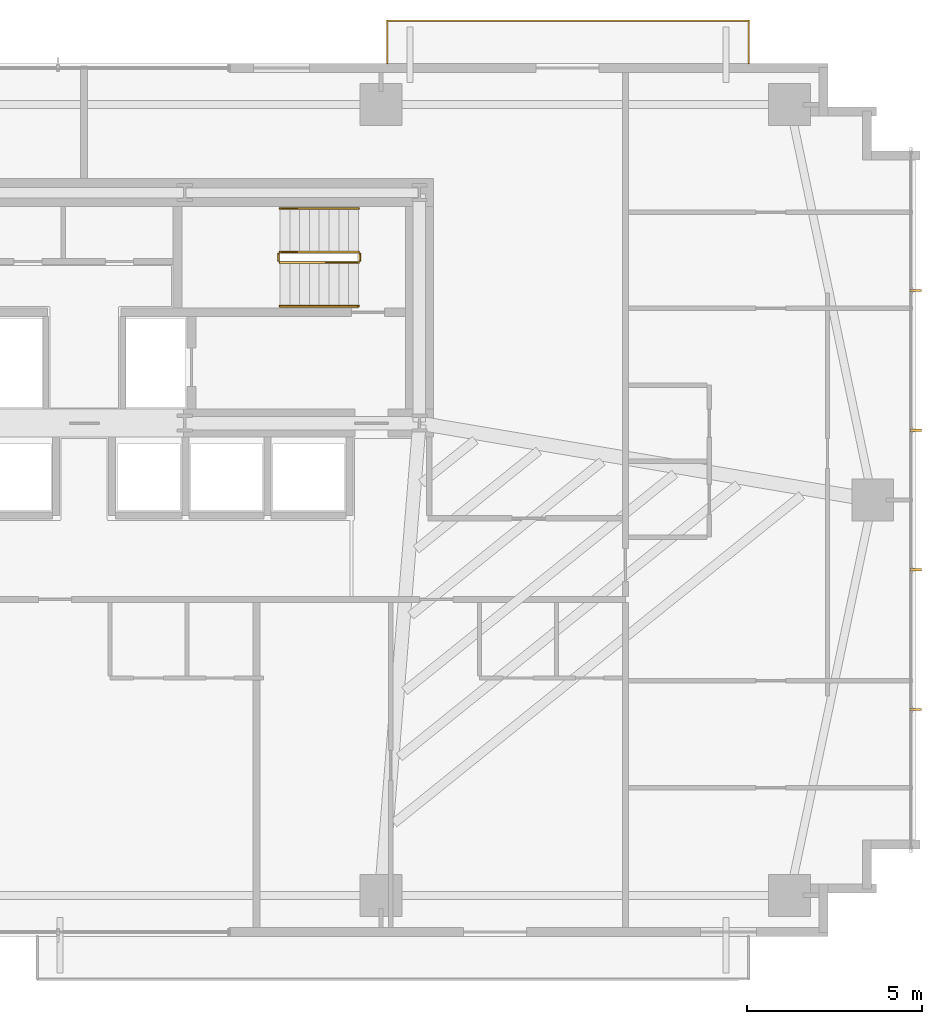
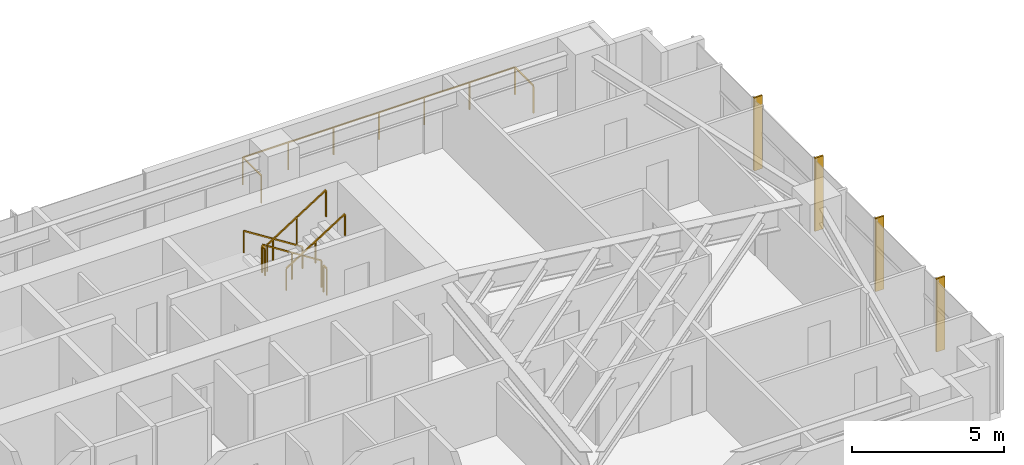
# One storey, part 25 of 25: 7 railings, 4 shading devices.
"""IFC4 building model written with IfcOpenShell, lengths in metres."""

from ifc_helpers import new_model, si_unit, direction, frame, origin, origin_2d, place, context, subcontext, project, spatial, rectangle, extrude, source, transform, mapped, material, type_object, type_shapes, element, save


model = new_model("IFC4")

# Units and contexts
model_context = context("Model", 3, precision=1e-05, world=origin(), true_north=direction((0.0, 1.0)))
body_context = subcontext(model_context, "Body", "Model", "MODEL_VIEW")
ifc_project = project(units=[si_unit("LENGTHUNIT", "METRE"), si_unit("AREAUNIT", "SQUARE_METRE"), si_unit("VOLUMEUNIT", "CUBIC_METRE"), si_unit("PLANEANGLEUNIT", "RADIAN"), si_unit("MASSUNIT", "GRAM", prefix="KILO")], contexts=[model_context])

# Site, building, storey
site_placement = place(None, origin())
site = spatial("IfcSite", under=ifc_project, at=site_placement, CompositionType="ELEMENT")
building_placement = place(site_placement, origin())
building = spatial("IfcBuilding", under=site, at=building_placement, Name="Astriad Promenade Condominiums", CompositionType="ELEMENT")
storey_placement = place(building_placement, frame((0.0, 0.0, 58.199951171875)))
storey = spatial("IfcBuildingStorey", under=building, at=storey_placement, Name="L16", CompositionType="ELEMENT", Elevation=58.199951171875)

# Shading devices
ifc_material_1 = material(Name="Anodised aluminium 6063-T6 Black Fin", Category="aluminium")
shading_device_type = type_object("IfcShadingDeviceType", Name="FIN-BLACK-320", PredefinedType="USERDEFINED", material=ifc_material_1)
shared_shape_1 = source(origin(), body_context, "Body", "SweptSolid", [
    extrude(rectangle(XDim=0.06494140625, YDim=0.320068359375, at=origin_2d()), origin(), (0.0, 0.0, 1.0), 2.93994140625),
])
type_shapes(shading_device_type, [shared_shape_1])
for number, where, z_axis, x_axis, name in (
    (1, (59.81005859375, 21.199951171875, 0.0), (0.0, 0.0, 1.0), (0.0, -1.0, 0.0), "CW-L16-E-FIN-01"),
    (2, (59.81005859375, 17.199951171875, 0.0), (0.0, 0.0, 1.0), (0.0, -1.0, 0.0), "CW-L16-E-FIN-02"),
    (3, (59.81005859375, 13.199951171875, 0.0), (0.0, 0.0, 1.0), (0.0, -1.0, 0.0), "CW-L16-E-FIN-03"),
    (4, (59.81005859375, 9.199951171875, 0.0), (0.0, 0.0, 1.0), (0.0, -1.0, 0.0), "CW-L16-E-FIN-04"),
):
    element("IfcShadingDevice", number, at=place(storey_placement, frame(where, z_axis=z_axis, x_axis=x_axis)), inside=storey, type_object=shading_device_type, Name=name, ObjectType="FIN", PredefinedType="USERDEFINED", context=body_context, shape_type="MappedRepresentation", body=[
        mapped(shared_shape_1, transform((0.0, 0.0, 0.0), scale=1.0)),
    ])

# Railings
ifc_material_2 = material(Name="Laminated Glass and Stainless Steel Balustrade", Category="steel")
railing_type_1 = type_object("IfcRailingType", Name="GRD-BALC-1120", PredefinedType="BALUSTRADE", material=ifc_material_2)
shared_shape_2 = source(origin(), body_context, "Body", "SweptSolid", [
    extrude(rectangle(XDim=0.048095703125, YDim=0.048095703125, at=origin_2d()), frame((0.0, 0.0, 1.09619140625), z_axis=(0.0, 1.0, 0.0), x_axis=(-1.0, 0.0, 0.0)), (0.0, 0.0, 1.0), 1.219970703125),
    extrude(rectangle(XDim=0.048095703125, YDim=0.048095703125, at=origin_2d()), frame((0.0, 1.219970703125, 1.09619140625), z_axis=(-1.0, 0.0, 0.0), x_axis=(0.0, -1.0, 0.0)), (0.0, 0.0, 1.0), 10.34716796875),
    extrude(rectangle(XDim=0.048095703125, YDim=0.048095703125, at=origin_2d()), frame((-10.34716796875, 1.219970703125, 1.09619140625), z_axis=(0.0, -1.0, 0.0), x_axis=(1.0, 0.0, 0.0)), (0.0, 0.0, 1.0), 1.219970703125),
    extrude(rectangle(XDim=0.0419921875, YDim=0.0419921875, at=origin_2d()), origin(), (0.0, 0.0, 1.0), 1.072021484375),
    extrude(rectangle(XDim=0.0419921875, YDim=0.0419921875, at=origin_2d()), frame((0.0, 1.219970703125, 0.0)), (0.0, 0.0, 1.0), 1.072021484375),
    extrude(rectangle(XDim=0.0419921875, YDim=0.0419921875, at=origin_2d()), frame((-1.724609375, 1.219970703125, 0.0)), (0.0, 0.0, 1.0), 1.072021484375),
    extrude(rectangle(XDim=0.0419921875, YDim=0.0419921875, at=origin_2d()), frame((-3.448974609375, 1.219970703125, 0.0)), (0.0, 0.0, 1.0), 1.072021484375),
    extrude(rectangle(XDim=0.0419921875, YDim=0.0419921875, at=origin_2d()), frame((-5.173583984375, 1.219970703125, 0.0)), (0.0, 0.0, 1.0), 1.072021484375),
    extrude(rectangle(XDim=0.0419921875, YDim=0.0419921875, at=origin_2d()), frame((-6.898193359375, 1.219970703125, 0.0)), (0.0, 0.0, 1.0), 1.072021484375),
    extrude(rectangle(XDim=0.0419921875, YDim=0.0419921875, at=origin_2d()), frame((-8.62255859375, 1.219970703125, 0.0)), (0.0, 0.0, 1.0), 1.072021484375),
    extrude(rectangle(XDim=0.0419921875, YDim=0.0419921875, at=origin_2d()), frame((-10.34716796875, 1.219970703125, 0.0)), (0.0, 0.0, 1.0), 1.072021484375),
    extrude(rectangle(XDim=0.0419921875, YDim=0.0419921875, at=origin_2d()), frame((-10.34716796875, 0.0, 0.0)), (0.0, 0.0, 1.0), 1.072021484375),
])
type_shapes(railing_type_1, [shared_shape_2])
railing_1_placement = place(storey_placement, frame((55.027099609375, 27.699951171875, 0.0)))
element("IfcRailing", 5, at=railing_1_placement, inside=storey, type_object=railing_type_1, Name="GRD-BALC-L16-NE", PredefinedType="BALUSTRADE", context=body_context, shape_type="MappedRepresentation", body=[
    mapped(shared_shape_2, transform((0.0, 0.0, 0.0), scale=1.0)),
])
ifc_material_3 = material(Name="Painted Galvanised Steel Guardrail", Category="steel")
railing_type_2 = type_object("IfcRailingType", Name="GRD-STAIR-1100", PredefinedType="GUARDRAIL", material=ifc_material_3)
shared_shape_3 = source(origin(), body_context, "Body", "SweptSolid", [
    extrude(rectangle(XDim=0.048095703125, YDim=0.048095703125, at=origin_2d()), frame((0.0, 0.0, 1.076171875), z_axis=(0.8442293374, 0.0, 0.53598211339), x_axis=(0.0, 1.0, 0.0)), (0.0, 0.0, 1.0), 2.6533203125),
    extrude(rectangle(XDim=0.0419921875, YDim=0.0419921875, at=origin_2d()), origin(), (0.0, 0.0, 1.0), 1.052001953125),
    extrude(rectangle(XDim=0.0419921875, YDim=0.0419921875, at=origin_2d()), frame((1.1201171875, 0.0, 0.7109375)), (0.0, 0.0, 1.0), 1.052001953125),
    extrude(rectangle(XDim=0.0419921875, YDim=0.0419921875, at=origin_2d()), frame((2.239990234375, 0.0, 1.422119140625)), (0.0, 0.0, 1.0), 1.052001953125),
])
railing_2_placement = place(storey_placement, frame((41.610107421875, 22.0, 1.77783203125)))
element("IfcRailing", 6, at=railing_2_placement, inside=storey, type_object=railing_type_2, Name="L16 ST-2 stair guard 3", PredefinedType="GUARDRAIL", context=body_context, shape_type="MappedRepresentation", body=[
    mapped(shared_shape_3, transform((0.0, 0.0, 0.0), scale=1.0)),
])
shared_shape_4 = source(origin(), body_context, "Body", "SweptSolid", [
    extrude(rectangle(XDim=0.048095703125, YDim=0.048095703125, at=origin_2d()), frame((0.0, 0.0, 1.076171875), z_axis=(-0.84418770128, 0.0, 0.536047689118), x_axis=(0.0, -1.0, 0.0)), (0.0, 0.0, 1.0), 2.6533203125),
    extrude(rectangle(XDim=0.0419921875, YDim=0.0419921875, at=origin_2d()), origin(), (0.0, 0.0, 1.0), 1.052001953125),
    extrude(rectangle(XDim=0.0419921875, YDim=0.0419921875, at=origin_2d()), frame((-1.1201171875, 0.0, 0.711181640625)), (0.0, 0.0, 1.0), 1.052001953125),
    extrude(rectangle(XDim=0.0419921875, YDim=0.0419921875, at=origin_2d()), frame((-2.239990234375, 0.0, 1.42236328125)), (0.0, 0.0, 1.0), 1.052001953125),
])
railing_3_placement = place(storey_placement, frame((43.85009765625, 22.300048828125, 0.177734375)))
element("IfcRailing", 7, at=railing_3_placement, inside=storey, type_object=railing_type_2, Name="L16 ST-2 stair guard 1", PredefinedType="GUARDRAIL", context=body_context, shape_type="MappedRepresentation", body=[
    mapped(shared_shape_4, transform((0.0, 0.0, 0.0), scale=1.0)),
])
ifc_material_4 = material(Name="Brushed Stainless Steel Handrail", Category="steel")
railing_type_3 = type_object("IfcRailingType", Name="HRL-STAIR-920", PredefinedType="HANDRAIL", material=ifc_material_4)
shared_shape_5 = source(origin(), body_context, "Body", "SweptSolid", [
    extrude(rectangle(XDim=0.048095703125, YDim=0.048095703125, at=origin_2d()), frame((0.0, 0.0, 0.8759765625), z_axis=(0.8442293374, 0.0, 0.53598211339), x_axis=(0.0, 1.0, 0.0)), (0.0, 0.0, 1.0), 2.6533203125),
    extrude(rectangle(XDim=0.0419921875, YDim=0.0419921875, at=origin_2d()), origin(), (0.0, 0.0, 1.0), 0.851806640625),
    extrude(rectangle(XDim=0.0419921875, YDim=0.0419921875, at=origin_2d()), frame((1.1201171875, 0.0, 0.7109375)), (0.0, 0.0, 1.0), 0.851806640625),
    extrude(rectangle(XDim=0.0419921875, YDim=0.0419921875, at=origin_2d()), frame((2.239990234375, 0.0, 1.422119140625)), (0.0, 0.0, 1.0), 0.851806640625),
])
railing_4_placement = place(storey_placement, frame((41.610107421875, 20.75, 1.77783203125)))
element("IfcRailing", 8, at=railing_4_placement, inside=storey, type_object=railing_type_3, Name="L16 ST-2 stair handrail 2", PredefinedType="HANDRAIL", context=body_context, shape_type="MappedRepresentation", body=[
    mapped(shared_shape_5, transform((0.0, 0.0, 0.0), scale=1.0)),
])
shared_shape_6 = source(origin(), body_context, "Body", "SweptSolid", [
    extrude(rectangle(XDim=0.048095703125, YDim=0.048095703125, at=origin_2d()), frame((0.0, 0.0, 0.8759765625), z_axis=(-0.84418770128, 0.0, 0.536047689118), x_axis=(0.0, -1.0, 0.0)), (0.0, 0.0, 1.0), 2.6533203125),
    extrude(rectangle(XDim=0.0419921875, YDim=0.0419921875, at=origin_2d()), origin(), (0.0, 0.0, 1.0), 0.851806640625),
    extrude(rectangle(XDim=0.0419921875, YDim=0.0419921875, at=origin_2d()), frame((-1.1201171875, 0.0, 0.711181640625)), (0.0, 0.0, 1.0), 0.851806640625),
    extrude(rectangle(XDim=0.0419921875, YDim=0.0419921875, at=origin_2d()), frame((-2.239990234375, 0.0, 1.42236328125)), (0.0, 0.0, 1.0), 0.851806640625),
])
type_shapes(railing_type_3, [shared_shape_5, shared_shape_6])
railing_5_placement = place(storey_placement, frame((43.85009765625, 23.550048828125, 0.177734375)))
element("IfcRailing", 9, at=railing_5_placement, inside=storey, type_object=railing_type_3, Name="L16 ST-2 stair handrail 1", PredefinedType="HANDRAIL", context=body_context, shape_type="MappedRepresentation", body=[
    mapped(shared_shape_6, transform((0.0, 0.0, 0.0), scale=1.0)),
])
shared_shape_7 = source(origin(), body_context, "Body", "SweptSolid", [
    extrude(rectangle(XDim=0.048095703125, YDim=0.048095703125, at=origin_2d()), frame((0.0, 0.0, 1.076171875), z_axis=(0.0, -1.0, 0.0), x_axis=(1.0, 0.0, 0.0)), (0.0, 0.0, 1.0), 0.199951171875),
    extrude(rectangle(XDim=0.0419921875, YDim=0.0419921875, at=origin_2d()), origin(), (0.0, 0.0, 1.0), 1.052001953125),
    extrude(rectangle(XDim=0.0419921875, YDim=0.0419921875, at=origin_2d()), frame((0.0, -0.199951171875, 0.0)), (0.0, 0.0, 1.0), 1.052001953125),
])
type_shapes(railing_type_2, [shared_shape_3, shared_shape_4, shared_shape_7])
for number, where, name in (
    (10, (41.56005859375, 22.25, 1.60009765625), "L16 ST-2 stair guard 2"),
    (11, (43.89990234375, 22.25, 0.0), "L16 ST-2 stair guard 4"),
):
    element("IfcRailing", number, at=place(storey_placement, frame(where)), inside=storey, type_object=railing_type_2, Name=name, PredefinedType="GUARDRAIL", context=body_context, shape_type="MappedRepresentation", body=[
        mapped(shared_shape_7, transform((0.0, 0.0, 0.0), scale=1.0)),
    ])

save(model, "model.ifc")
